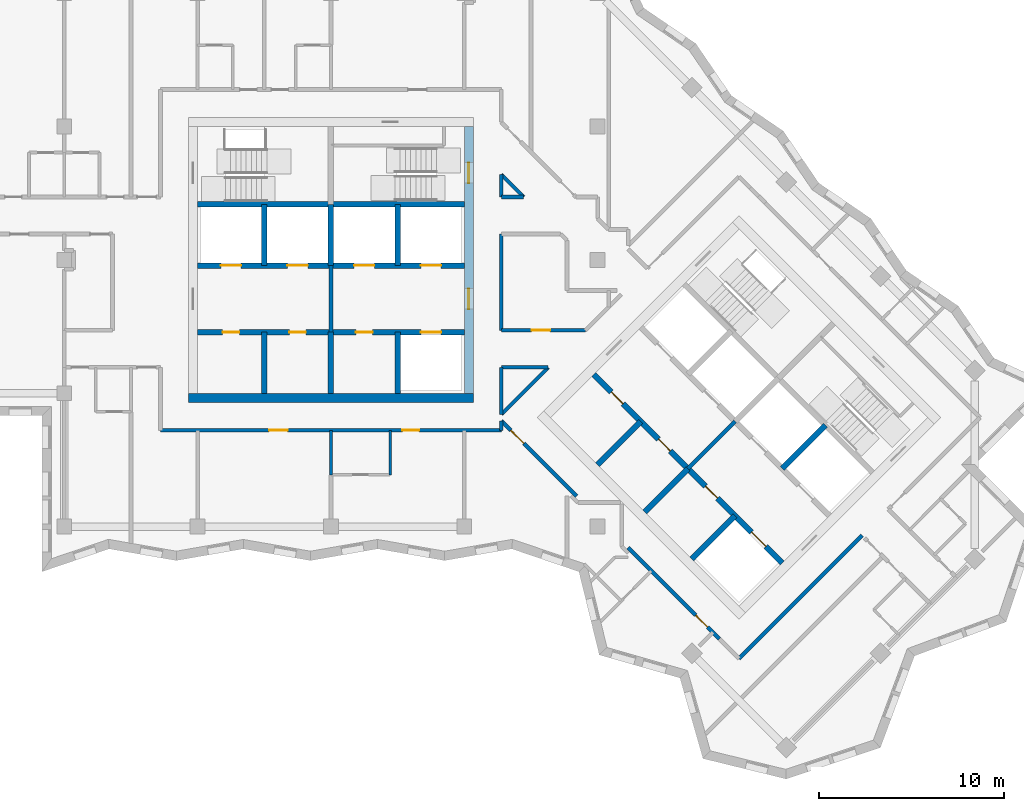
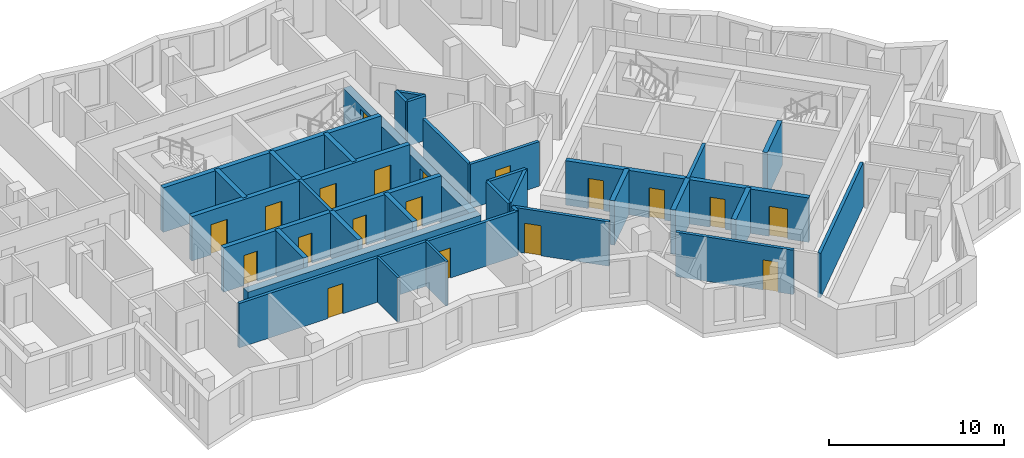
# One storey, part 4 of 12: 34 walls, 19 doors, 19 openings.
"""IFC4 building model written with IfcOpenShell, lengths in metres."""

from ifc_helpers import new_model, si_unit, direction, frame, frame_2d, origin, place, context, subcontext, project, spatial, rectangle, extrude, material, layer, layer_set, type_object, element, fill, save


model = new_model("IFC4")

# Units and contexts
model_context = context("Model", 3, precision=1e-05, world=origin(), true_north=direction((0.0, 1.0)))
body_context = subcontext(model_context, "Body", "Model", "MODEL_VIEW")
ifc_project = project(units=[si_unit("LENGTHUNIT", "METRE"), si_unit("AREAUNIT", "SQUARE_METRE"), si_unit("VOLUMEUNIT", "CUBIC_METRE"), si_unit("PLANEANGLEUNIT", "RADIAN"), si_unit("MASSUNIT", "GRAM", prefix="KILO")], contexts=[model_context])

# Site, building, storey
site_placement = place(None, origin())
site = spatial("IfcSite", under=ifc_project, at=site_placement, CompositionType="ELEMENT")
building_placement = place(site_placement, origin())
building = spatial("IfcBuilding", under=site, at=building_placement, Name="Windrow Commons", CompositionType="ELEMENT")
storey_placement = place(building_placement, frame((0.0, 0.0, 227.0)))
storey = spatial("IfcBuildingStorey", under=building, at=storey_placement, Name="L62", CompositionType="ELEMENT", Elevation=227.0)

# Walls
ifc_material_1 = material(Name="Blockwork partition", Category="masonry")
ifc_layer_1 = layer(ifc_material_1, 0.2)
ifc_layer_set_1 = layer_set([ifc_layer_1], Name="Fire lobby partition 200")
wall_type_1 = type_object("IfcWallType", Name="Fire lobby partition 200", PredefinedType="PARTITIONING", material=ifc_layer_set_1)
for number, where, z_axis, x_axis, name in (
    (1, (64.8, 53.7, 0.0), (0.0, 0.0, 1.0), (0.0, 1.0, 0.0), "W-core-lobby-A-L62"),
    (2, (84.079, 46.332, 0.0), (0.0, 0.0, 1.0), (0.7071067812, 0.7071067812, 0.0), "W-core-lobby-B-L62"),
):
    element("IfcWall", number, at=place(storey_placement, frame(where, z_axis=z_axis, x_axis=x_axis)), inside=storey, type_object=wall_type_1, Name=name, PredefinedType="PARTITIONING", context=body_context, shape_type="SweptSolid", body=[
        extrude(rectangle(XDim=3.6, YDim=0.2, at=frame_2d((1.8, 0.0))), origin(), (0.0, 0.0, 1.0), 3.1),
    ])

# Wall, openings, doors
ifc_material_2 = material(Name="Blockwork partition", Category="masonry")
ifc_layer_2 = layer(ifc_material_2, 0.2)
ifc_layer_set_2 = layer_set([ifc_layer_2], Name="IW-CORRIDOR-200")
wall_type_2 = type_object("IfcWallType", Name="IW-CORRIDOR-200", PredefinedType="PARTITIONING", material=ifc_layer_set_2)
wall_1_placement = place(storey_placement, frame((55.6, 48.4, 0.0), z_axis=(0.0, 0.0, 1.0), x_axis=(1.0, 0.0, 0.0)))
wall_1 = element("IfcWall", 3, at=wall_1_placement, inside=storey, type_object=wall_type_2, Name="W-L62-W000", PredefinedType="PARTITIONING", context=body_context, shape_type="SweptSolid", body=[
    extrude(rectangle(XDim=18.4, YDim=0.2, at=frame_2d((9.2, 0.0))), origin(), (0.0, 0.0, 1.0), 3.1),
])
opening_1_placement = place(wall_1_placement, frame((5.8625, 0.0, 0.0)))
opening_1 = element("IfcOpeningElement", 4, at=opening_1_placement, cuts=wall_1, Name="Opening D310F", PredefinedType="OPENING", context=body_context, shape_type="SweptSolid", body=[
    extrude(rectangle(XDim=1.0, YDim=2.1, at=frame_2d((0.5, 1.05))), frame((0.0, 0.11, 0.0), z_axis=(0.0, -1.0, 0.0), x_axis=(1.0, 0.0, 0.0)), (0.0, 0.0, 1.0), 0.22),
])
opening_2_placement = place(wall_1_placement, frame((13.0607, 0.0, 0.0)))
opening_2 = element("IfcOpeningElement", 5, at=opening_2_placement, cuts=wall_1, Name="Opening D109F", PredefinedType="OPENING", context=body_context, shape_type="SweptSolid", body=[
    extrude(rectangle(XDim=0.9, YDim=2.1, at=frame_2d((0.45, 1.05))), frame((0.0, 0.11, 0.0), z_axis=(0.0, -1.0, 0.0), x_axis=(1.0, 0.0, 0.0)), (0.0, 0.0, 1.0), 0.22),
])
ifc_material_3 = material(Name="Timber door leaf", Category="wood")
door_type_1 = type_object("IfcDoorType", Name="DT-AMENITY-1000", OperationType="SINGLE_SWING_LEFT", PredefinedType="DOOR", material=ifc_material_3)
door_1_placement = place(opening_1_placement, origin())
door_1 = element("IfcDoor", 6, at=door_1_placement, inside=storey, type_object=door_type_1, Name="D-L62-D010", OperationType="SINGLE_SWING_LEFT", OverallHeight=2.1, OverallWidth=1.0, PredefinedType="DOOR", context=body_context, shape_type="SweptSolid", body=[
    extrude(rectangle(XDim=1.0, YDim=2.1, at=frame_2d((0.5, 1.05))), frame((0.0, 0.025, 0.0), z_axis=(0.0, -1.0, 0.0), x_axis=(1.0, 0.0, 0.0)), (0.0, 0.0, 1.0), 0.05),
])
fill(opening_1, door_1)
ifc_material_4 = material(Name="Timber door leaf", Category="wood")
door_type_2 = type_object("IfcDoorType", Name="DT-BEDROOM-900", OperationType="SINGLE_SWING_LEFT", PredefinedType="DOOR", material=ifc_material_4)
door_2_placement = place(opening_2_placement, origin())
door_2 = element("IfcDoor", 7, at=door_2_placement, inside=storey, type_object=door_type_2, Name="D-L62-D011", OperationType="SINGLE_SWING_LEFT", OverallHeight=2.1, OverallWidth=0.9, PredefinedType="DOOR", context=body_context, shape_type="SweptSolid", body=[
    extrude(rectangle(XDim=0.9, YDim=2.1, at=frame_2d((0.45, 1.05))), frame((0.0, 0.025, 0.0), z_axis=(0.0, -1.0, 0.0), x_axis=(1.0, 0.0, 0.0)), (0.0, 0.0, 1.0), 0.05),
])
fill(opening_2, door_2)

# Wall
wall_2_placement = place(storey_placement, frame((86.8351, 36.0789, 0.0), z_axis=(0.0, 0.0, 1.0), x_axis=(0.7071067812, 0.7071067812, 0.0)))
element("IfcWall", 8, at=wall_2_placement, inside=storey, type_object=wall_type_2, Name="W-L62-W009", PredefinedType="PARTITIONING", context=body_context, shape_type="SweptSolid", body=[
    extrude(rectangle(XDim=9.4017, YDim=0.2, at=frame_2d((4.7008, 0.0))), origin(), (0.0, 0.0, 1.0), 3.1),
])

# Wall, opening, door
wall_3_placement = place(storey_placement, frame((80.8487, 42.0607, 0.0), z_axis=(0.0, 0.0, 1.0), x_axis=(0.7071067812, -0.7071067812, 0.0)))
wall_3 = element("IfcWall", 9, at=wall_3_placement, inside=storey, type_object=wall_type_2, Name="W-L62-W015", PredefinedType="PARTITIONING", context=body_context, shape_type="SweptSolid", body=[
    extrude(rectangle(XDim=6.9636, YDim=0.2, at=frame_2d((3.4818, 0.0))), origin(), (0.0, 0.0, 1.0), 3.1),
])
opening_3_placement = place(wall_3_placement, frame((5.1589, 0.0, 0.0)))
opening_3 = element("IfcOpeningElement", 10, at=opening_3_placement, cuts=wall_3, Name="Opening D109S", PredefinedType="OPENING", context=body_context, shape_type="SweptSolid", body=[
    extrude(rectangle(XDim=0.9, YDim=2.1, at=frame_2d((0.45, 1.05))), frame((0.0, 0.11, 0.0), z_axis=(0.0, -1.0, 0.0), x_axis=(1.0, 0.0, 0.0)), (0.0, 0.0, 1.0), 0.22),
])
door_3_placement = place(opening_3_placement, origin())
door_3 = element("IfcDoor", 11, at=door_3_placement, inside=storey, type_object=door_type_2, Name="D-L62-D037", OperationType="SINGLE_SWING_RIGHT", OverallHeight=2.1, OverallWidth=0.9, PredefinedType="DOOR", context=body_context, shape_type="SweptSolid", body=[
    extrude(rectangle(XDim=0.9, YDim=2.1, at=frame_2d((0.45, 1.05))), frame((0.0, 0.025, 0.0), z_axis=(0.0, -1.0, 0.0), x_axis=(1.0, 0.0, 0.0)), (0.0, 0.0, 1.0), 0.05),
])
fill(opening_3, door_3)

wall_4_placement = place(storey_placement, frame((73.9987, 48.9107, 0.0), z_axis=(0.0, 0.0, 1.0), x_axis=(0.7071067812, -0.7071067812, 0.0)))
wall_4 = element("IfcWall", 12, at=wall_4_placement, inside=storey, type_object=wall_type_2, Name="W-L62-W023", PredefinedType="PARTITIONING", context=body_context, shape_type="SweptSolid", body=[
    extrude(rectangle(XDim=5.7445, YDim=0.2, at=frame_2d((2.8723, 0.0))), origin(), (0.0, 0.0, 1.0), 3.1),
])
opening_4_placement = place(wall_4_placement, frame((0.7238, 0.0, 0.0)))
opening_4 = element("IfcOpeningElement", 13, at=opening_4_placement, cuts=wall_4, Name="Opening D310F", PredefinedType="OPENING", context=body_context, shape_type="SweptSolid", body=[
    extrude(rectangle(XDim=1.0, YDim=2.1, at=frame_2d((0.5, 1.05))), frame((0.0, 0.11, 0.0), z_axis=(0.0, -1.0, 0.0), x_axis=(1.0, 0.0, 0.0)), (0.0, 0.0, 1.0), 0.22),
])
door_4_placement = place(opening_4_placement, origin())
door_4 = element("IfcDoor", 14, at=door_4_placement, inside=storey, type_object=door_type_1, Name="D-L62-D013", OperationType="SINGLE_SWING_LEFT", OverallHeight=2.1, OverallWidth=1.0, PredefinedType="DOOR", context=body_context, shape_type="SweptSolid", body=[
    extrude(rectangle(XDim=1.0, YDim=2.1, at=frame_2d((0.5, 1.05))), frame((0.0, 0.025, 0.0), z_axis=(0.0, -1.0, 0.0), x_axis=(1.0, 0.0, 0.0)), (0.0, 0.0, 1.0), 0.05),
])
fill(opening_4, door_4)

# Wall
wall_5_placement = place(storey_placement, frame((74.0, 53.802, 0.0), z_axis=(0.0, 0.0, 1.0), x_axis=(0.0, 1.0, 0.0)))
element("IfcWall", 15, at=wall_5_placement, inside=storey, type_object=wall_type_2, Name="W-L62-W029", PredefinedType="PARTITIONING", context=body_context, shape_type="SweptSolid", body=[
    extrude(rectangle(XDim=5.198, YDim=0.2, at=frame_2d((2.599, 0.0))), origin(), (0.0, 0.0, 1.0), 3.1),
])

# Wall, opening, door
wall_6_placement = place(storey_placement, frame((74.002, 53.8, 0.0), z_axis=(0.0, 0.0, 1.0), x_axis=(1.0, 0.0, 0.0)))
wall_6 = element("IfcWall", 16, at=wall_6_placement, inside=storey, type_object=wall_type_2, Name="W-L62-W037", PredefinedType="PARTITIONING", context=body_context, shape_type="SweptSolid", body=[
    extrude(rectangle(XDim=4.534, YDim=0.2, at=frame_2d((2.267, 0.0))), origin(), (0.0, 0.0, 1.0), 3.1),
])
opening_5_placement = place(wall_6_placement, frame((1.6341, 0.0, 0.0)))
opening_5 = element("IfcOpeningElement", 17, at=opening_5_placement, cuts=wall_6, Name="Opening D410F", PredefinedType="OPENING", context=body_context, shape_type="SweptSolid", body=[
    extrude(rectangle(XDim=1.0, YDim=2.1, at=frame_2d((0.5, 1.05))), frame((0.0, 0.11, 0.0), z_axis=(0.0, -1.0, 0.0), x_axis=(1.0, 0.0, 0.0)), (0.0, 0.0, 1.0), 0.22),
])
ifc_material_5 = material(Name="Timber door leaf", Category="wood")
door_type_3 = type_object("IfcDoorType", Name="DT-SERVICE-1000", OperationType="SINGLE_SWING_LEFT", PredefinedType="DOOR", material=ifc_material_5)
door_5_placement = place(opening_5_placement, origin())
door_5 = element("IfcDoor", 18, at=door_5_placement, inside=storey, type_object=door_type_3, Name="D-L62-D006", OperationType="SINGLE_SWING_LEFT", OverallHeight=2.1, OverallWidth=1.0, PredefinedType="DOOR", context=body_context, shape_type="SweptSolid", body=[
    extrude(rectangle(XDim=1.0, YDim=2.1, at=frame_2d((0.5, 1.05))), frame((0.0, 0.025, 0.0), z_axis=(0.0, -1.0, 0.0), x_axis=(1.0, 0.0, 0.0)), (0.0, 0.0, 1.0), 0.05),
])
fill(opening_5, door_5)

# Walls
wall_7_placement = place(storey_placement, frame((74.0013, 49.2667, 0.0), z_axis=(0.0, 0.0, 1.0), x_axis=(0.7071067812, 0.7071067812, 0.0)))
element("IfcWall", 19, at=wall_7_placement, inside=storey, type_object=wall_type_2, Name="W-L62-W041", PredefinedType="PARTITIONING", context=body_context, shape_type="SweptSolid", body=[
    extrude(rectangle(XDim=3.5808, YDim=0.2, at=frame_2d((1.7904, 0.0))), origin(), (0.0, 0.0, 1.0), 3.1),
])
wall_8_placement = place(storey_placement, frame((74.0, 49.266, 0.0), z_axis=(0.0, 0.0, 1.0), x_axis=(0.0, 1.0, 0.0)))
element("IfcWall", 20, at=wall_8_placement, inside=storey, type_object=wall_type_2, Name="W-L62-W060", PredefinedType="PARTITIONING", context=body_context, shape_type="SweptSolid", body=[
    extrude(rectangle(XDim=2.534, YDim=0.2, at=frame_2d((1.267, 0.0))), origin(), (0.0, 0.0, 1.0), 3.1),
])
wall_9_placement = place(storey_placement, frame((74.002, 51.8, 0.0), z_axis=(0.0, 0.0, 1.0), x_axis=(1.0, 0.0, 0.0)))
element("IfcWall", 21, at=wall_9_placement, inside=storey, type_object=wall_type_2, Name="W-L62-W061", PredefinedType="PARTITIONING", context=body_context, shape_type="SweptSolid", body=[
    extrude(rectangle(XDim=2.532, YDim=0.2, at=frame_2d((1.266, 0.0))), origin(), (0.0, 0.0, 1.0), 3.1),
])
wall_10_placement = place(storey_placement, frame((74.0055, 62.2115, 0.0), z_axis=(0.0, 0.0, 1.0), x_axis=(0.7071067812, -0.7071067812, 0.0)))
element("IfcWall", 22, at=wall_10_placement, inside=storey, type_object=wall_type_2, Name="W-L62-W110", PredefinedType="PARTITIONING", context=body_context, shape_type="SweptSolid", body=[
    extrude(rectangle(XDim=1.7055, YDim=0.2, at=frame_2d((0.8528, 0.0))), origin(), (0.0, 0.0, 1.0), 3.1),
])
for number, where, z_axis, x_axis, name in (
    (23, (74.002, 61.0, 0.0), (0.0, 0.0, 1.0), (1.0, 0.0, 0.0), "W-L62-W115"),
    (24, (74.0, 61.002, 0.0), (0.0, 0.0, 1.0), (0.0, 1.0, 0.0), "W-L62-W116"),
):
    element("IfcWall", number, at=place(storey_placement, frame(where, z_axis=z_axis, x_axis=x_axis)), inside=storey, type_object=wall_type_2, Name=name, PredefinedType="PARTITIONING", context=body_context, shape_type="SweptSolid", body=[
        extrude(rectangle(XDim=1.204, YDim=0.2, at=frame_2d((0.602, 0.0))), origin(), (0.0, 0.0, 1.0), 3.1),
    ])
wall_11_placement = place(storey_placement, frame((74.0, 48.4, 0.0), z_axis=(0.0, 0.0, 1.0), x_axis=(0.0, 1.0, 0.0)))
element("IfcWall", 25, at=wall_11_placement, inside=storey, type_object=wall_type_2, Name="W-L62-W140", PredefinedType="PARTITIONING", context=body_context, shape_type="SweptSolid", body=[
    extrude(rectangle(XDim=0.514, YDim=0.2, at=frame_2d((0.257, 0.0))), origin(), (0.0, 0.0, 1.0), 3.1),
])
ifc_material_6 = material(Name="Blockwork partition", Category="masonry")
ifc_layer_3 = layer(ifc_material_6, 0.15)
ifc_layer_set_3 = layer_set([ifc_layer_3], Name="IW-ENSUITE-150")
wall_type_3 = type_object("IfcWallType", Name="IW-ENSUITE-150", PredefinedType="PARTITIONING", material=ifc_layer_set_3)
for number, where, z_axis, x_axis, name in (
    (26, (68.0, 46.0, 0.0), (0.0, 0.0, 1.0), (0.0, 1.0, 0.0), "W-L62-W078"),
    (27, (64.8, 46.0, 0.0), (0.0, 0.0, 1.0), (0.0, 1.0, 0.0), "W-L62-W079"),
):
    element("IfcWall", number, at=place(storey_placement, frame(where, z_axis=z_axis, x_axis=x_axis)), inside=storey, type_object=wall_type_3, Name=name, PredefinedType="PARTITIONING", context=body_context, shape_type="SweptSolid", body=[
        extrude(rectangle(XDim=2.4, YDim=0.15, at=frame_2d((1.2, 0.0))), origin(), (0.0, 0.0, 1.0), 3.1),
    ])
ifc_material_7 = material(Name="Concrete C40/50", Category="concrete")
ifc_layer_4 = layer(ifc_material_7, 0.5)
ifc_layer_set_4 = layer_set([ifc_layer_4], Name="RC CORE WALL 500 C40/50")
wall_type_4 = type_object("IfcWallType", Name="RC CORE WALL 500 C40/50", PredefinedType="SHEAR", material=ifc_layer_set_4)
wall_12_placement = place(storey_placement, frame((57.1, 50.15, -0.3), z_axis=(0.0, 0.0, 1.0), x_axis=(1.0, 0.0, 0.0)))
element("IfcWall", 28, at=wall_12_placement, inside=storey, type_object=wall_type_4, Name="Core A wall outer-S", PredefinedType="SHEAR", context=body_context, shape_type="SweptSolid", body=[
    extrude(rectangle(XDim=15.4, YDim=0.5, at=frame_2d((7.7, 0.0))), origin(), (0.0, 0.0, 1.0), 2.7),
])

# Wall, openings, doors
wall_13_placement = place(storey_placement, frame((72.25, 50.4, -0.3), z_axis=(0.0, 0.0, 1.0), x_axis=(0.0, 1.0, 0.0)))
wall_13 = element("IfcWall", 29, at=wall_13_placement, inside=storey, type_object=wall_type_4, Name="Core A wall outer-E", PredefinedType="SHEAR", context=body_context, shape_type="SweptSolid", body=[
    extrude(rectangle(XDim=14.4, YDim=0.5, at=frame_2d((7.2, 0.0))), origin(), (0.0, 0.0, 1.0), 2.7),
])
opening_6_placement = place(wall_13_placement, frame((4.55, 0.0, 0.3)))
opening_6 = element("IfcOpeningElement", 30, at=opening_6_placement, cuts=wall_13, Name="Opening D6", PredefinedType="OPENING", context=body_context, shape_type="SweptSolid", body=[
    extrude(rectangle(XDim=1.1, YDim=2.1, at=frame_2d((0.55, 1.05))), frame((0.0, 0.26, 0.0), z_axis=(0.0, -1.0, 0.0), x_axis=(1.0, 0.0, 0.0)), (0.0, 0.0, 1.0), 0.52),
])
opening_7_placement = place(wall_13_placement, frame((11.35, 0.0, 0.3)))
opening_7 = element("IfcOpeningElement", 31, at=opening_7_placement, cuts=wall_13, Name="Opening D7", PredefinedType="OPENING", context=body_context, shape_type="SweptSolid", body=[
    extrude(rectangle(XDim=1.1, YDim=2.1, at=frame_2d((0.55, 1.05))), frame((0.0, 0.26, 0.0), z_axis=(0.0, -1.0, 0.0), x_axis=(1.0, 0.0, 0.0)), (0.0, 0.0, 1.0), 0.52),
])
ifc_material_8 = material(Name="Steel fire door leaf", Category="steel")
door_type_4 = type_object("IfcDoorType", Name="Core lobby door 1100", OperationType="SINGLE_SWING_LEFT", PredefinedType="DOOR", material=ifc_material_8)
door_6_placement = place(opening_6_placement, origin())
door_6 = element("IfcDoor", 32, at=door_6_placement, inside=storey, type_object=door_type_4, Name="Lift lobby door", OperationType="DOUBLE_DOOR_SINGLE_SWING", OverallHeight=2.1, OverallWidth=1.1, PredefinedType="DOOR", context=body_context, shape_type="SweptSolid", body=[
    extrude(rectangle(XDim=1.1, YDim=2.1, at=frame_2d((0.55, 1.05))), frame((0.0, 0.025, 0.0), z_axis=(0.0, -1.0, 0.0), x_axis=(1.0, 0.0, 0.0)), (0.0, 0.0, 1.0), 0.05),
])
fill(opening_6, door_6)
ifc_material_9 = material(Name="Steel fire door leaf", Category="steel")
door_type_5 = type_object("IfcDoorType", Name="Stair door 1100", OperationType="SINGLE_SWING_LEFT", PredefinedType="DOOR", material=ifc_material_9)
door_7_placement = place(opening_7_placement, origin())
door_7 = element("IfcDoor", 33, at=door_7_placement, inside=storey, type_object=door_type_5, Name="Stair door", OperationType="SINGLE_SWING_RIGHT", OverallHeight=2.1, OverallWidth=1.1, PredefinedType="DOOR", context=body_context, shape_type="SweptSolid", body=[
    extrude(rectangle(XDim=1.1, YDim=2.1, at=frame_2d((0.55, 1.05))), frame((0.0, 0.025, 0.0), z_axis=(0.0, -1.0, 0.0), x_axis=(1.0, 0.0, 0.0)), (0.0, 0.0, 1.0), 0.05),
])
fill(opening_7, door_7)

# Walls
ifc_material_10 = material(Name="Concrete C40/50", Category="concrete")
ifc_layer_5 = layer(ifc_material_10, 0.3)
ifc_layer_set_5 = layer_set([ifc_layer_5], Name="RC SHAFT WALL 300 C40/50")
wall_type_5 = type_object("IfcWallType", Name="RC SHAFT WALL 300 C40/50", PredefinedType="SOLIDWALL", material=ifc_layer_set_5)
for number, where, z_axis, x_axis, name in (
    (34, (61.2, 50.4, 0.0), (0.0, 0.0, 1.0), (0.0, 1.0, 0.0), "Core A wall shaft-S1"),
    (35, (61.2, 57.3, 0.0), (0.0, 0.0, 1.0), (0.0, 1.0, 0.0), "Core A wall shaft-N1"),
    (36, (64.8, 50.4, 0.0), (0.0, 0.0, 1.0), (0.0, 1.0, 0.0), "Core A wall shaft-S2"),
    (37, (64.8, 57.3, 0.0), (0.0, 0.0, 1.0), (0.0, 1.0, 0.0), "Core A wall shaft-N2"),
    (38, (68.4, 50.4, 0.0), (0.0, 0.0, 1.0), (0.0, 1.0, 0.0), "Core A wall shaft-S3"),
    (39, (68.4, 57.3, 0.0), (0.0, 0.0, 1.0), (0.0, 1.0, 0.0), "Core A wall shaft-N3"),
):
    element("IfcWall", number, at=place(storey_placement, frame(where, z_axis=z_axis, x_axis=x_axis)), inside=storey, type_object=wall_type_5, Name=name, PredefinedType="SOLIDWALL", context=body_context, shape_type="SweptSolid", body=[
        extrude(rectangle(XDim=3.3, YDim=0.3, at=frame_2d((1.65, 0.0))), origin(), (0.0, 0.0, 1.0), 3.1),
    ])

# Wall, openings, doors
wall_14_placement = place(storey_placement, frame((57.6, 53.7, 0.0), z_axis=(0.0, 0.0, 1.0), x_axis=(1.0, 0.0, 0.0)))
wall_14 = element("IfcWall", 40, at=wall_14_placement, inside=storey, type_object=wall_type_5, Name="Core A wall lobby-S", PredefinedType="SOLIDWALL", context=body_context, shape_type="SweptSolid", body=[
    extrude(rectangle(XDim=14.4, YDim=0.3, at=frame_2d((7.2, 0.0))), origin(), (0.0, 0.0, 1.0), 3.1),
])
opening_8_placement = place(wall_14_placement, frame((1.35, 0.0, 0.0)))
opening_8 = element("IfcOpeningElement", 41, at=opening_8_placement, cuts=wall_14, Name="Opening D8", PredefinedType="OPENING", context=body_context, shape_type="SweptSolid", body=[
    extrude(rectangle(XDim=0.9, YDim=2.1, at=frame_2d((0.45, 1.05))), frame((0.0, 0.16, 0.0), z_axis=(0.0, -1.0, 0.0), x_axis=(1.0, 0.0, 0.0)), (0.0, 0.0, 1.0), 0.32),
])
opening_9_placement = place(wall_14_placement, frame((4.95, 0.0, 0.0)))
opening_9 = element("IfcOpeningElement", 42, at=opening_9_placement, cuts=wall_14, Name="Opening D8", PredefinedType="OPENING", context=body_context, shape_type="SweptSolid", body=[
    extrude(rectangle(XDim=0.9, YDim=2.1, at=frame_2d((0.45, 1.05))), frame((0.0, 0.16, 0.0), z_axis=(0.0, -1.0, 0.0), x_axis=(1.0, 0.0, 0.0)), (0.0, 0.0, 1.0), 0.32),
])
opening_10_placement = place(wall_14_placement, frame((8.55, 0.0, 0.0)))
opening_10 = element("IfcOpeningElement", 43, at=opening_10_placement, cuts=wall_14, Name="Opening D8", PredefinedType="OPENING", context=body_context, shape_type="SweptSolid", body=[
    extrude(rectangle(XDim=0.9, YDim=2.1, at=frame_2d((0.45, 1.05))), frame((0.0, 0.16, 0.0), z_axis=(0.0, -1.0, 0.0), x_axis=(1.0, 0.0, 0.0)), (0.0, 0.0, 1.0), 0.32),
])
opening_11_placement = place(wall_14_placement, frame((12.05, 0.0, 0.0)))
opening_11 = element("IfcOpeningElement", 44, at=opening_11_placement, cuts=wall_14, Name="Opening LD", PredefinedType="OPENING", context=body_context, shape_type="SweptSolid", body=[
    extrude(rectangle(XDim=1.1, YDim=2.1, at=frame_2d((0.55, 1.05))), frame((0.0, 0.16, 0.0), z_axis=(0.0, -1.0, 0.0), x_axis=(1.0, 0.0, 0.0)), (0.0, 0.0, 1.0), 0.32),
])
ifc_material_11 = material(Name="Steel fire door leaf", Category="steel")
door_type_6 = type_object("IfcDoorType", Name="Core store door 900", OperationType="SINGLE_SWING_LEFT", PredefinedType="DOOR", material=ifc_material_11)
door_8_placement = place(opening_8_placement, origin())
door_8 = element("IfcDoor", 45, at=door_8_placement, inside=storey, type_object=door_type_6, Name="Store door", OperationType="SINGLE_SWING_LEFT", OverallHeight=2.1, OverallWidth=0.9, PredefinedType="DOOR", context=body_context, shape_type="SweptSolid", body=[
    extrude(rectangle(XDim=0.9, YDim=2.1, at=frame_2d((0.45, 1.05))), frame((0.0, 0.025, 0.0), z_axis=(0.0, -1.0, 0.0), x_axis=(1.0, 0.0, 0.0)), (0.0, 0.0, 1.0), 0.05),
])
fill(opening_8, door_8)
door_9_placement = place(opening_9_placement, origin())
door_9 = element("IfcDoor", 46, at=door_9_placement, inside=storey, type_object=door_type_6, Name="Store door", OperationType="SINGLE_SWING_LEFT", OverallHeight=2.1, OverallWidth=0.9, PredefinedType="DOOR", context=body_context, shape_type="SweptSolid", body=[
    extrude(rectangle(XDim=0.9, YDim=2.1, at=frame_2d((0.45, 1.05))), frame((0.0, 0.025, 0.0), z_axis=(0.0, -1.0, 0.0), x_axis=(1.0, 0.0, 0.0)), (0.0, 0.0, 1.0), 0.05),
])
fill(opening_9, door_9)
door_10_placement = place(opening_10_placement, origin())
door_10 = element("IfcDoor", 47, at=door_10_placement, inside=storey, type_object=door_type_6, Name="Store door", OperationType="SINGLE_SWING_LEFT", OverallHeight=2.1, OverallWidth=0.9, PredefinedType="DOOR", context=body_context, shape_type="SweptSolid", body=[
    extrude(rectangle(XDim=0.9, YDim=2.1, at=frame_2d((0.45, 1.05))), frame((0.0, 0.025, 0.0), z_axis=(0.0, -1.0, 0.0), x_axis=(1.0, 0.0, 0.0)), (0.0, 0.0, 1.0), 0.05),
])
fill(opening_10, door_10)
ifc_material_12 = material(Name="Stainless steel door leaf", Category="steel")
door_type_7 = type_object("IfcDoorType", Name="Lift landing door 1100", OperationType="SLIDING_TO_LEFT", PredefinedType="DOOR", material=ifc_material_12)
door_11_placement = place(opening_11_placement, origin())
door_11 = element("IfcDoor", 48, at=door_11_placement, inside=storey, type_object=door_type_7, Name="Lift landing door", OperationType="SLIDING_TO_RIGHT", OverallHeight=2.1, OverallWidth=1.1, PredefinedType="DOOR", context=body_context, shape_type="SweptSolid", body=[
    extrude(rectangle(XDim=1.1, YDim=2.1, at=frame_2d((0.55, 1.05))), frame((0.0, 0.025, 0.0), z_axis=(0.0, -1.0, 0.0), x_axis=(1.0, 0.0, 0.0)), (0.0, 0.0, 1.0), 0.05),
])
fill(opening_11, door_11)

wall_15_placement = place(storey_placement, frame((57.6, 57.3, 0.0), z_axis=(0.0, 0.0, 1.0), x_axis=(1.0, 0.0, 0.0)))
wall_15 = element("IfcWall", 49, at=wall_15_placement, inside=storey, type_object=wall_type_5, Name="Core A wall lobby-N", PredefinedType="SOLIDWALL", context=body_context, shape_type="SweptSolid", body=[
    extrude(rectangle(XDim=14.4, YDim=0.3, at=frame_2d((7.2, 0.0))), origin(), (0.0, 0.0, 1.0), 3.1),
])
opening_12_placement = place(wall_15_placement, frame((1.25, 0.0, 0.0)))
opening_12 = element("IfcOpeningElement", 50, at=opening_12_placement, cuts=wall_15, Name="Opening LD", PredefinedType="OPENING", context=body_context, shape_type="SweptSolid", body=[
    extrude(rectangle(XDim=1.1, YDim=2.1, at=frame_2d((0.55, 1.05))), frame((0.0, 0.16, 0.0), z_axis=(0.0, -1.0, 0.0), x_axis=(1.0, 0.0, 0.0)), (0.0, 0.0, 1.0), 0.32),
])
opening_13_placement = place(wall_15_placement, frame((4.85, 0.0, 0.0)))
opening_13 = element("IfcOpeningElement", 51, at=opening_13_placement, cuts=wall_15, Name="Opening LD", PredefinedType="OPENING", context=body_context, shape_type="SweptSolid", body=[
    extrude(rectangle(XDim=1.1, YDim=2.1, at=frame_2d((0.55, 1.05))), frame((0.0, 0.16, 0.0), z_axis=(0.0, -1.0, 0.0), x_axis=(1.0, 0.0, 0.0)), (0.0, 0.0, 1.0), 0.32),
])
opening_14_placement = place(wall_15_placement, frame((8.45, 0.0, 0.0)))
opening_14 = element("IfcOpeningElement", 52, at=opening_14_placement, cuts=wall_15, Name="Opening LD", PredefinedType="OPENING", context=body_context, shape_type="SweptSolid", body=[
    extrude(rectangle(XDim=1.1, YDim=2.1, at=frame_2d((0.55, 1.05))), frame((0.0, 0.16, 0.0), z_axis=(0.0, -1.0, 0.0), x_axis=(1.0, 0.0, 0.0)), (0.0, 0.0, 1.0), 0.32),
])
opening_15_placement = place(wall_15_placement, frame((12.05, 0.0, 0.0)))
opening_15 = element("IfcOpeningElement", 53, at=opening_15_placement, cuts=wall_15, Name="Opening LD", PredefinedType="OPENING", context=body_context, shape_type="SweptSolid", body=[
    extrude(rectangle(XDim=1.1, YDim=2.1, at=frame_2d((0.55, 1.05))), frame((0.0, 0.16, 0.0), z_axis=(0.0, -1.0, 0.0), x_axis=(1.0, 0.0, 0.0)), (0.0, 0.0, 1.0), 0.32),
])
door_12_placement = place(opening_12_placement, origin())
door_12 = element("IfcDoor", 54, at=door_12_placement, inside=storey, type_object=door_type_7, Name="Lift landing door", OperationType="SLIDING_TO_LEFT", OverallHeight=2.1, OverallWidth=1.1, PredefinedType="DOOR", context=body_context, shape_type="SweptSolid", body=[
    extrude(rectangle(XDim=1.1, YDim=2.1, at=frame_2d((0.55, 1.05))), frame((0.0, 0.025, 0.0), z_axis=(0.0, -1.0, 0.0), x_axis=(1.0, 0.0, 0.0)), (0.0, 0.0, 1.0), 0.05),
])
fill(opening_12, door_12)
door_13_placement = place(opening_13_placement, origin())
door_13 = element("IfcDoor", 55, at=door_13_placement, inside=storey, type_object=door_type_7, Name="Lift landing door", OperationType="SLIDING_TO_RIGHT", OverallHeight=2.1, OverallWidth=1.1, PredefinedType="DOOR", context=body_context, shape_type="SweptSolid", body=[
    extrude(rectangle(XDim=1.1, YDim=2.1, at=frame_2d((0.55, 1.05))), frame((0.0, 0.025, 0.0), z_axis=(0.0, -1.0, 0.0), x_axis=(1.0, 0.0, 0.0)), (0.0, 0.0, 1.0), 0.05),
])
fill(opening_13, door_13)
door_14_placement = place(opening_14_placement, origin())
door_14 = element("IfcDoor", 56, at=door_14_placement, inside=storey, type_object=door_type_7, Name="Lift landing door", OperationType="SLIDING_TO_LEFT", OverallHeight=2.1, OverallWidth=1.1, PredefinedType="DOOR", context=body_context, shape_type="SweptSolid", body=[
    extrude(rectangle(XDim=1.1, YDim=2.1, at=frame_2d((0.55, 1.05))), frame((0.0, 0.025, 0.0), z_axis=(0.0, -1.0, 0.0), x_axis=(1.0, 0.0, 0.0)), (0.0, 0.0, 1.0), 0.05),
])
fill(opening_14, door_14)
door_15_placement = place(opening_15_placement, origin())
door_15 = element("IfcDoor", 57, at=door_15_placement, inside=storey, type_object=door_type_7, Name="Lift landing door", OperationType="SLIDING_TO_RIGHT", OverallHeight=2.1, OverallWidth=1.1, PredefinedType="DOOR", context=body_context, shape_type="SweptSolid", body=[
    extrude(rectangle(XDim=1.1, YDim=2.1, at=frame_2d((0.55, 1.05))), frame((0.0, 0.025, 0.0), z_axis=(0.0, -1.0, 0.0), x_axis=(1.0, 0.0, 0.0)), (0.0, 0.0, 1.0), 0.05),
])
fill(opening_15, door_15)

# Walls
for number, where, z_axis, x_axis, name in (
    (58, (57.6, 60.6, 0.0), (0.0, 0.0, 1.0), (1.0, 0.0, 0.0), "Core A wall stair-S"),
    (59, (64.8, 60.6, 0.0), (0.0, 0.0, 1.0), (1.0, 0.0, 0.0), "Core A wall stair-S2"),
):
    element("IfcWall", number, at=place(storey_placement, frame(where, z_axis=z_axis, x_axis=x_axis)), inside=storey, type_object=wall_type_5, Name=name, PredefinedType="SOLIDWALL", context=body_context, shape_type="SweptSolid", body=[
        extrude(rectangle(XDim=7.2, YDim=0.3, at=frame_2d((3.6, 0.0))), origin(), (0.0, 0.0, 1.0), 3.1),
    ])
wall_16_placement = place(storey_placement, frame((79.2, 46.5442, 0.0), z_axis=(0.0, 0.0, 1.0), x_axis=(0.7071219326, 0.7070916295, 0.0)))
element("IfcWall", 60, at=wall_16_placement, inside=storey, type_object=wall_type_5, Name="Core B wall shaft-S1", PredefinedType="SOLIDWALL", context=body_context, shape_type="SweptSolid", body=[
    extrude(rectangle(XDim=3.3, YDim=0.3, at=frame_2d((1.65, 0.0))), origin(), (0.0, 0.0, 1.0), 3.1),
])
for number, where, z_axis, x_axis, name in (
    (61, (81.7456, 43.9986, 0.0), (0.0, 0.0, 1.0), (0.7071067812, 0.7071067812, 0.0), "Core B wall shaft-S2"),
    (62, (84.2912, 41.453, 0.0), (0.0, 0.0, 1.0), (0.7071067812, 0.7071067812, 0.0), "Core B wall shaft-S3"),
):
    element("IfcWall", number, at=place(storey_placement, frame(where, z_axis=z_axis, x_axis=x_axis)), inside=storey, type_object=wall_type_5, Name=name, PredefinedType="SOLIDWALL", context=body_context, shape_type="SweptSolid", body=[
        extrude(rectangle(XDim=3.2999, YDim=0.3, at=frame_2d((1.65, 0.0))), origin(), (0.0, 0.0, 1.0), 3.1),
    ])
wall_17_placement = place(storey_placement, frame((89.1702, 46.332, 0.0), z_axis=(0.0, 0.0, 1.0), x_axis=(0.7071067812, 0.7071067812, 0.0)))
element("IfcWall", 63, at=wall_17_placement, inside=storey, type_object=wall_type_5, Name="Core B wall shaft-N3", PredefinedType="SOLIDWALL", context=body_context, shape_type="SweptSolid", body=[
    extrude(rectangle(XDim=3.3001, YDim=0.3, at=frame_2d((1.6501, 0.0))), origin(), (0.0, 0.0, 1.0), 3.1),
])

# Wall, openings, doors
wall_18_placement = place(storey_placement, frame((78.9879, 51.4232, 0.0), z_axis=(0.0, 0.0, 1.0), x_axis=(0.7071067812, -0.7071067812, 0.0)))
wall_18 = element("IfcWall", 64, at=wall_18_placement, inside=storey, type_object=wall_type_5, Name="Core B wall lobby-S", PredefinedType="SOLIDWALL", context=body_context, shape_type="SweptSolid", body=[
    extrude(rectangle(XDim=14.3999, YDim=0.3, at=frame_2d((7.2, 0.0))), origin(), (0.0, 0.0, 1.0), 3.1),
])
opening_16_placement = place(wall_18_placement, frame((1.35, 0.0, 0.0)))
opening_16 = element("IfcOpeningElement", 65, at=opening_16_placement, cuts=wall_18, Name="Opening D8", PredefinedType="OPENING", context=body_context, shape_type="SweptSolid", body=[
    extrude(rectangle(XDim=0.9, YDim=2.1, at=frame_2d((0.45, 1.05))), frame((0.0, 0.16, 0.0), z_axis=(0.0, -1.0, 0.0), x_axis=(1.0, 0.0, 0.0)), (0.0, 0.0, 1.0), 0.32),
])
opening_17_placement = place(wall_18_placement, frame((4.95, 0.0, 0.0)))
opening_17 = element("IfcOpeningElement", 66, at=opening_17_placement, cuts=wall_18, Name="Opening D8", PredefinedType="OPENING", context=body_context, shape_type="SweptSolid", body=[
    extrude(rectangle(XDim=0.9, YDim=2.1, at=frame_2d((0.45, 1.05))), frame((0.0, 0.16, 0.0), z_axis=(0.0, -1.0, 0.0), x_axis=(1.0, 0.0, 0.0)), (0.0, 0.0, 1.0), 0.32),
])
opening_18_placement = place(wall_18_placement, frame((8.55, 0.0, 0.0)))
opening_18 = element("IfcOpeningElement", 67, at=opening_18_placement, cuts=wall_18, Name="Opening D8", PredefinedType="OPENING", context=body_context, shape_type="SweptSolid", body=[
    extrude(rectangle(XDim=0.9, YDim=2.1, at=frame_2d((0.45, 1.05))), frame((0.0, 0.16, 0.0), z_axis=(0.0, -1.0, 0.0), x_axis=(1.0, 0.0, 0.0)), (0.0, 0.0, 1.0), 0.32),
])
opening_19_placement = place(wall_18_placement, frame((12.05, 0.0, 0.0)))
opening_19 = element("IfcOpeningElement", 68, at=opening_19_placement, cuts=wall_18, Name="Opening LD", PredefinedType="OPENING", context=body_context, shape_type="SweptSolid", body=[
    extrude(rectangle(XDim=1.1, YDim=2.1, at=frame_2d((0.55, 1.05))), frame((0.0, 0.16, 0.0), z_axis=(0.0, -1.0, 0.0), x_axis=(1.0, 0.0, 0.0)), (0.0, 0.0, 1.0), 0.32),
])
door_16_placement = place(opening_16_placement, origin())
door_16 = element("IfcDoor", 69, at=door_16_placement, inside=storey, type_object=door_type_6, Name="Store door", OperationType="SINGLE_SWING_LEFT", OverallHeight=2.1, OverallWidth=0.9, PredefinedType="DOOR", context=body_context, shape_type="SweptSolid", body=[
    extrude(rectangle(XDim=0.9, YDim=2.1, at=frame_2d((0.45, 1.05))), frame((0.0, 0.025, 0.0), z_axis=(0.0, -1.0, 0.0), x_axis=(1.0, 0.0, 0.0)), (0.0, 0.0, 1.0), 0.05),
])
fill(opening_16, door_16)
door_17_placement = place(opening_17_placement, origin())
door_17 = element("IfcDoor", 70, at=door_17_placement, inside=storey, type_object=door_type_6, Name="Store door", OperationType="SINGLE_SWING_LEFT", OverallHeight=2.1, OverallWidth=0.9, PredefinedType="DOOR", context=body_context, shape_type="SweptSolid", body=[
    extrude(rectangle(XDim=0.9, YDim=2.1, at=frame_2d((0.45, 1.05))), frame((0.0, 0.025, 0.0), z_axis=(0.0, -1.0, 0.0), x_axis=(1.0, 0.0, 0.0)), (0.0, 0.0, 1.0), 0.05),
])
fill(opening_17, door_17)
door_18_placement = place(opening_18_placement, origin())
door_18 = element("IfcDoor", 71, at=door_18_placement, inside=storey, type_object=door_type_6, Name="Store door", OperationType="SINGLE_SWING_LEFT", OverallHeight=2.1, OverallWidth=0.9, PredefinedType="DOOR", context=body_context, shape_type="SweptSolid", body=[
    extrude(rectangle(XDim=0.9, YDim=2.1, at=frame_2d((0.45, 1.05))), frame((0.0, 0.025, 0.0), z_axis=(0.0, -1.0, 0.0), x_axis=(1.0, 0.0, 0.0)), (0.0, 0.0, 1.0), 0.05),
])
fill(opening_18, door_18)
door_19_placement = place(opening_19_placement, origin())
door_19 = element("IfcDoor", 72, at=door_19_placement, inside=storey, type_object=door_type_7, Name="Lift landing door", OperationType="SLIDING_TO_RIGHT", OverallHeight=2.1, OverallWidth=1.1, PredefinedType="DOOR", context=body_context, shape_type="SweptSolid", body=[
    extrude(rectangle(XDim=1.1, YDim=2.1, at=frame_2d((0.55, 1.05))), frame((0.0, 0.025, 0.0), z_axis=(0.0, -1.0, 0.0), x_axis=(1.0, 0.0, 0.0)), (0.0, 0.0, 1.0), 0.05),
])
fill(opening_19, door_19)

save(model, "model.ifc")
